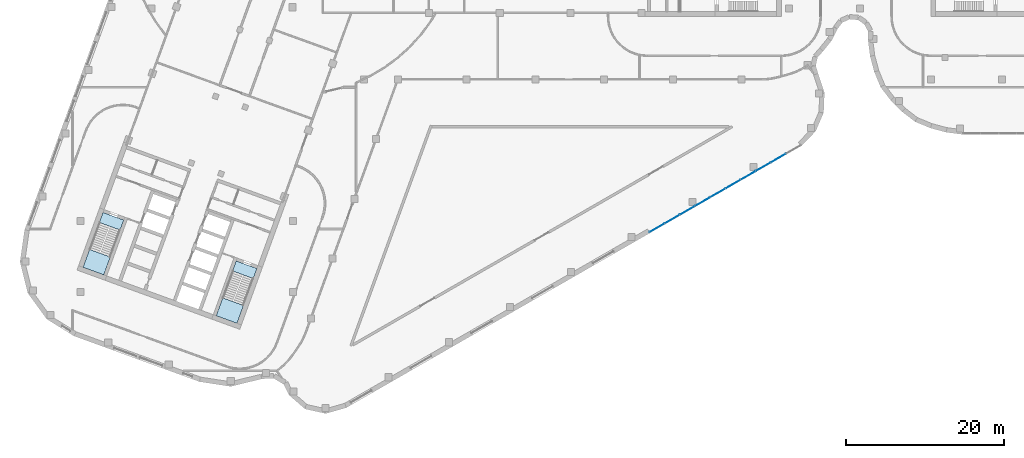
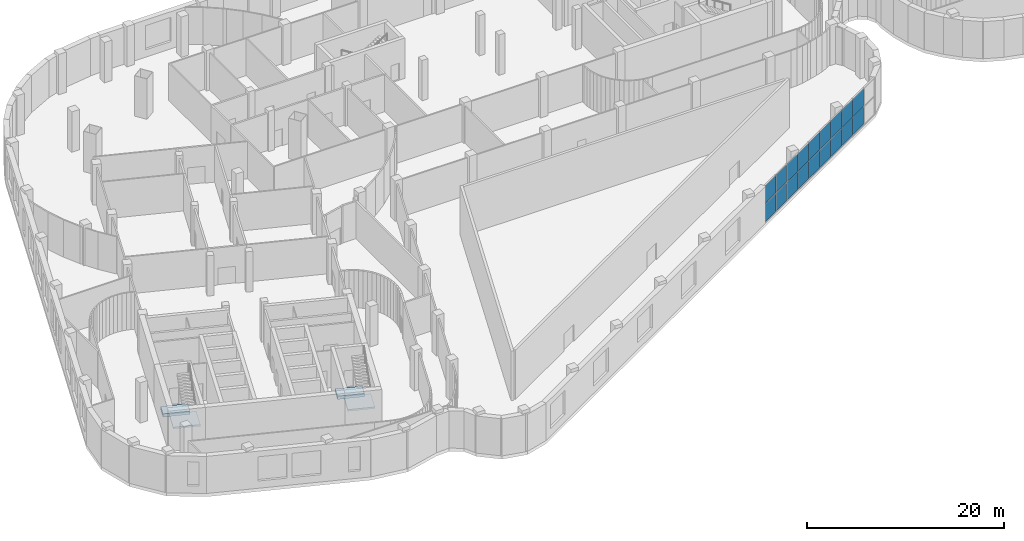
# One storey, part 5 of 24: 18 plates, 4 slabs, 4 elements without a shape of their own.
"""IFC4 building model written with IfcOpenShell, lengths in metres."""

from ifc_helpers import new_model, si_unit, direction, frame, origin, origin_2d, place, context, subcontext, project, spatial, polyline, rectangle, outline, extrude, material, layer, layer_set, type_object, element, aggregate, save


model = new_model("IFC4")

# Units and contexts
model_context = context("Model", 3, precision=1e-05, world=origin(), true_north=direction((0.0, 1.0)))
body_context = subcontext(model_context, "Body", "Model", "MODEL_VIEW")
ifc_project = project(units=[si_unit("LENGTHUNIT", "METRE"), si_unit("AREAUNIT", "SQUARE_METRE"), si_unit("VOLUMEUNIT", "CUBIC_METRE"), si_unit("PLANEANGLEUNIT", "RADIAN"), si_unit("MASSUNIT", "GRAM", prefix="KILO")], contexts=[model_context])

# Site, building, storey
site_placement = place(None, origin())
site = spatial("IfcSite", under=ifc_project, at=site_placement, CompositionType="ELEMENT")
building_placement = place(site_placement, origin())
building = spatial("IfcBuilding", under=site, at=building_placement, Name="Skarvind Civic Tower", CompositionType="ELEMENT")
storey_placement = place(building_placement, frame((0.0, 0.0, 12.5)))
storey = spatial("IfcBuildingStorey", under=building, at=storey_placement, Name="L02", CompositionType="ELEMENT", Elevation=12.5)

# Curtain wall, plates
ifc_material_1 = material(Name="Aluminium alloy 6063 and laminated glass", Category="aluminium")
curtain_wall_type = type_object("IfcCurtainWallType", Name="CW2 TOWER ENTRANCE LOBBY GLAZING", PredefinedType="NOTDEFINED", material=ifc_material_1)
curtain_wall_1_placement = place(storey_placement, origin())
curtain_wall_1 = element("IfcCurtainWall", 1, at=curtain_wall_1_placement, inside=storey, type_object=curtain_wall_type, Name="TOWER ENTRANCE LOBBY GLAZING", PredefinedType="NOTDEFINED")
ifc_material_2 = material(Name="Laminated low-iron glass", Category="glass")
ifc_layer_1 = layer(ifc_material_2, 0.031982421875)
ifc_layer_set_1 = layer_set([ifc_layer_1], Name="CW2 GLASS PANEL 32")
plate_type = type_object("IfcPlateType", Name="CW2 GLASS PANEL 32", PredefinedType="CURTAIN_PANEL", material=ifc_layer_set_1)
plate_1_placement = place(storey_placement, frame((107.64013671875, 99.009033203125, 0.06982421875), z_axis=(0.0, 0.0, 1.0), x_axis=(-0.866702488463, -0.498825416846, 0.0)))
plate_1 = element("IfcPlate", 2, at=plate_1_placement, type_object=plate_type, Name="CW2 panel 2.1", PredefinedType="CURTAIN_PANEL", context=body_context, shape_type="SweptSolid", body=[
    extrude(rectangle(XDim=2.154296875, YDim=0.031982421875, at=origin_2d()), origin(), (0.0, 0.0, 1.0), 2.195068359375),
])
plate_2_placement = place(storey_placement, frame((107.64013671875, 99.009033203125, 2.3349609375), z_axis=(0.0, 0.0, 1.0), x_axis=(-0.866702488463, -0.498825416846, 0.0)))
plate_2 = element("IfcPlate", 3, at=plate_2_placement, type_object=plate_type, Name="CW2 panel 2.2", PredefinedType="CURTAIN_PANEL", context=body_context, shape_type="SweptSolid", body=[
    extrude(rectangle(XDim=2.154296875, YDim=0.031982421875, at=origin_2d()), origin(), (0.0, 0.0, 1.0), 2.195068359375),
])
plate_3_placement = place(storey_placement, frame((105.712158203125, 97.8994140625, 0.06982421875), z_axis=(0.0, 0.0, 1.0), x_axis=(-0.866702488463, -0.498825416846, 0.0)))
plate_3 = element("IfcPlate", 4, at=plate_3_placement, type_object=plate_type, Name="CW2 panel 3.1", PredefinedType="CURTAIN_PANEL", context=body_context, shape_type="SweptSolid", body=[
    extrude(rectangle(XDim=2.154296875, YDim=0.031982421875, at=origin_2d()), origin(), (0.0, 0.0, 1.0), 2.195068359375),
])
plate_4_placement = place(storey_placement, frame((105.712158203125, 97.8994140625, 2.3349609375), z_axis=(0.0, 0.0, 1.0), x_axis=(-0.866702488463, -0.498825416846, 0.0)))
plate_4 = element("IfcPlate", 5, at=plate_4_placement, type_object=plate_type, Name="CW2 panel 3.2", PredefinedType="CURTAIN_PANEL", context=body_context, shape_type="SweptSolid", body=[
    extrude(rectangle(XDim=2.154296875, YDim=0.031982421875, at=origin_2d()), origin(), (0.0, 0.0, 1.0), 2.195068359375),
])
plate_5_placement = place(storey_placement, frame((103.784423828125, 96.789794921875, 0.06982421875), z_axis=(0.0, 0.0, 1.0), x_axis=(-0.866702488463, -0.498825416846, 0.0)))
plate_5 = element("IfcPlate", 6, at=plate_5_placement, type_object=plate_type, Name="CW2 panel 4.1", PredefinedType="CURTAIN_PANEL", context=body_context, shape_type="SweptSolid", body=[
    extrude(rectangle(XDim=2.154296875, YDim=0.031982421875, at=origin_2d()), origin(), (0.0, 0.0, 1.0), 2.195068359375),
])
plate_6_placement = place(storey_placement, frame((103.784423828125, 96.789794921875, 2.3349609375), z_axis=(0.0, 0.0, 1.0), x_axis=(-0.866702488463, -0.498825416846, 0.0)))
plate_6 = element("IfcPlate", 7, at=plate_6_placement, type_object=plate_type, Name="CW2 panel 4.2", PredefinedType="CURTAIN_PANEL", context=body_context, shape_type="SweptSolid", body=[
    extrude(rectangle(XDim=2.154296875, YDim=0.031982421875, at=origin_2d()), origin(), (0.0, 0.0, 1.0), 2.195068359375),
])
plate_7_placement = place(storey_placement, frame((101.856689453125, 95.68017578125, 0.06982421875), z_axis=(0.0, 0.0, 1.0), x_axis=(-0.866702488463, -0.498825416846, 0.0)))
plate_7 = element("IfcPlate", 8, at=plate_7_placement, type_object=plate_type, Name="CW2 panel 5.1", PredefinedType="CURTAIN_PANEL", context=body_context, shape_type="SweptSolid", body=[
    extrude(rectangle(XDim=2.154296875, YDim=0.031982421875, at=origin_2d()), origin(), (0.0, 0.0, 1.0), 2.195068359375),
])
plate_8_placement = place(storey_placement, frame((101.856689453125, 95.68017578125, 2.3349609375), z_axis=(0.0, 0.0, 1.0), x_axis=(-0.866702488463, -0.498825416846, 0.0)))
plate_8 = element("IfcPlate", 9, at=plate_8_placement, type_object=plate_type, Name="CW2 panel 5.2", PredefinedType="CURTAIN_PANEL", context=body_context, shape_type="SweptSolid", body=[
    extrude(rectangle(XDim=2.154296875, YDim=0.031982421875, at=origin_2d()), origin(), (0.0, 0.0, 1.0), 2.195068359375),
])
plate_9_placement = place(storey_placement, frame((99.9287109375, 94.57080078125, 0.06982421875), z_axis=(0.0, 0.0, 1.0), x_axis=(-0.866702488463, -0.498825416846, 0.0)))
plate_9 = element("IfcPlate", 10, at=plate_9_placement, type_object=plate_type, Name="CW2 panel 6.1", PredefinedType="CURTAIN_PANEL", context=body_context, shape_type="SweptSolid", body=[
    extrude(rectangle(XDim=2.154296875, YDim=0.031982421875, at=origin_2d()), origin(), (0.0, 0.0, 1.0), 2.195068359375),
])
plate_10_placement = place(storey_placement, frame((99.9287109375, 94.57080078125, 2.3349609375), z_axis=(0.0, 0.0, 1.0), x_axis=(-0.866702488463, -0.498825416846, 0.0)))
plate_10 = element("IfcPlate", 11, at=plate_10_placement, type_object=plate_type, Name="CW2 panel 6.2", PredefinedType="CURTAIN_PANEL", context=body_context, shape_type="SweptSolid", body=[
    extrude(rectangle(XDim=2.154296875, YDim=0.031982421875, at=origin_2d()), origin(), (0.0, 0.0, 1.0), 2.195068359375),
])
plate_11_placement = place(storey_placement, frame((98.0009765625, 93.461181640625, 0.06982421875), z_axis=(0.0, 0.0, 1.0), x_axis=(-0.866702488463, -0.498825416846, 0.0)))
plate_11 = element("IfcPlate", 12, at=plate_11_placement, type_object=plate_type, Name="CW2 panel 7.1", PredefinedType="CURTAIN_PANEL", context=body_context, shape_type="SweptSolid", body=[
    extrude(rectangle(XDim=2.154296875, YDim=0.031982421875, at=origin_2d()), origin(), (0.0, 0.0, 1.0), 2.195068359375),
])
plate_12_placement = place(storey_placement, frame((98.0009765625, 93.461181640625, 2.3349609375), z_axis=(0.0, 0.0, 1.0), x_axis=(-0.866702488463, -0.498825416846, 0.0)))
plate_12 = element("IfcPlate", 13, at=plate_12_placement, type_object=plate_type, Name="CW2 panel 7.2", PredefinedType="CURTAIN_PANEL", context=body_context, shape_type="SweptSolid", body=[
    extrude(rectangle(XDim=2.154296875, YDim=0.031982421875, at=origin_2d()), origin(), (0.0, 0.0, 1.0), 2.195068359375),
])
plate_13_placement = place(storey_placement, frame((96.088134765625, 92.3603515625, 0.06982421875), z_axis=(0.0, 0.0, 1.0), x_axis=(-0.866702488463, -0.498825416846, 0.0)))
plate_13 = element("IfcPlate", 14, at=plate_13_placement, type_object=plate_type, Name="CW2 panel 8.1", PredefinedType="CURTAIN_PANEL", context=body_context, shape_type="SweptSolid", body=[
    extrude(rectangle(XDim=2.119384765625, YDim=0.031982421875, at=origin_2d()), origin(), (0.0, 0.0, 1.0), 2.195068359375),
])
plate_14_placement = place(storey_placement, frame((96.088134765625, 92.3603515625, 2.3349609375), z_axis=(0.0, 0.0, 1.0), x_axis=(-0.866702488463, -0.498825416846, 0.0)))
plate_14 = element("IfcPlate", 15, at=plate_14_placement, type_object=plate_type, Name="CW2 panel 8.2", PredefinedType="CURTAIN_PANEL", context=body_context, shape_type="SweptSolid", body=[
    extrude(rectangle(XDim=2.119384765625, YDim=0.031982421875, at=origin_2d()), origin(), (0.0, 0.0, 1.0), 2.195068359375),
])
aggregate(curtain_wall_1, [plate_1, plate_2, plate_3, plate_4, plate_5, plate_6, plate_7, plate_8, plate_9, plate_10, plate_11, plate_12, plate_13, plate_14])

curtain_wall_2_placement = place(storey_placement, origin())
curtain_wall_2 = element("IfcCurtainWall", 16, at=curtain_wall_2_placement, inside=storey, type_object=curtain_wall_type, Name="TOWER ENTRANCE LOBBY GLAZING", PredefinedType="NOTDEFINED")
plate_15_placement = place(storey_placement, frame((94.130126953125, 91.233154296875, 0.06982421875), z_axis=(0.0, 0.0, 1.0), x_axis=(-0.866695199794, -0.498838080597, 0.0)))
plate_15 = element("IfcPlate", 17, at=plate_15_placement, type_object=plate_type, Name="CW2 panel 1.1", PredefinedType="CURTAIN_PANEL", context=body_context, shape_type="SweptSolid", body=[
    extrude(rectangle(XDim=2.119384765625, YDim=0.031982421875, at=origin_2d()), origin(), (0.0, 0.0, 1.0), 2.195068359375),
])
plate_16_placement = place(storey_placement, frame((94.130126953125, 91.233154296875, 2.3349609375), z_axis=(0.0, 0.0, 1.0), x_axis=(-0.866695199794, -0.498838080597, 0.0)))
plate_16 = element("IfcPlate", 18, at=plate_16_placement, type_object=plate_type, Name="CW2 panel 1.2", PredefinedType="CURTAIN_PANEL", context=body_context, shape_type="SweptSolid", body=[
    extrude(rectangle(XDim=2.119384765625, YDim=0.031982421875, at=origin_2d()), origin(), (0.0, 0.0, 1.0), 2.195068359375),
])
plate_17_placement = place(storey_placement, frame((92.232421875, 90.14111328125, 0.06982421875), z_axis=(0.0, 0.0, 1.0), x_axis=(-0.866695199794, -0.498838080597, 0.0)))
plate_17 = element("IfcPlate", 19, at=plate_17_placement, type_object=plate_type, Name="CW2 panel 2.1", PredefinedType="CURTAIN_PANEL", context=body_context, shape_type="SweptSolid", body=[
    extrude(rectangle(XDim=2.119384765625, YDim=0.031982421875, at=origin_2d()), origin(), (0.0, 0.0, 1.0), 2.195068359375),
])
plate_18_placement = place(storey_placement, frame((92.232421875, 90.14111328125, 2.3349609375), z_axis=(0.0, 0.0, 1.0), x_axis=(-0.866695199794, -0.498838080597, 0.0)))
plate_18 = element("IfcPlate", 20, at=plate_18_placement, type_object=plate_type, Name="CW2 panel 2.2", PredefinedType="CURTAIN_PANEL", context=body_context, shape_type="SweptSolid", body=[
    extrude(rectangle(XDim=2.119384765625, YDim=0.031982421875, at=origin_2d()), origin(), (0.0, 0.0, 1.0), 2.195068359375),
])
aggregate(curtain_wall_2, [plate_15, plate_16, plate_17, plate_18])

# Slabs
ifc_material_3 = material(Name="Concrete C40/50", Category="concrete")
ifc_layer_2 = layer(ifc_material_3, 0.39990234375)
ifc_layer_set_2 = layer_set([ifc_layer_2], Name="Stair floor landing slab 400")
slab_type_1 = type_object("IfcSlabType", Name="Stair floor landing slab 400", PredefinedType="LANDING", material=ifc_layer_set_2)
slab_1_placement = place(storey_placement, frame((0.0, 0.0, -0.39990234375)))
element("IfcSlab", 21, at=slab_1_placement, inside=storey, type_object=slab_type_1, Name="Stair floor landing", PredefinedType="LANDING", context=body_context, shape_type="SweptSolid", body=[
    extrude(outline(polyline([(40.946533203125, 83.70654296875), (38.314208984375, 84.66455078125), (38.7763671875, 85.934326171875), (41.40869140625, 84.976318359375), (40.946533203125, 83.70654296875)])), origin(), (0.0, 0.0, 1.0), 0.39990234375),
])
slab_2_placement = place(storey_placement, frame((0.0, 0.0, -0.39990234375)))
element("IfcSlab", 22, at=slab_2_placement, inside=storey, type_object=slab_type_1, Name="Stair floor landing", PredefinedType="LANDING", context=body_context, shape_type="SweptSolid", body=[
    extrude(outline(polyline([(24.0322265625, 89.863037109375), (21.39990234375, 90.821044921875), (21.862060546875, 92.090576171875), (24.494384765625, 91.132568359375), (24.0322265625, 89.863037109375)])), origin(), (0.0, 0.0, 1.0), 0.39990234375),
])

# Stair, slab
stair_type = type_object("IfcStairType", Name="Exit stair, half-turn, concrete", PredefinedType="HALF_TURN_STAIR", material=ifc_material_3)
stair_1_placement = place(storey_placement, origin())
stair_1 = element("IfcStair", 23, at=stair_1_placement, inside=storey, type_object=stair_type, Name="Exit stair C2S", PredefinedType="HALF_TURN_STAIR")
ifc_layer_3 = layer(ifc_material_3, 0.199951171875)
ifc_layer_set_3 = layer_set([ifc_layer_3], Name="Stair half landing slab")
slab_type_2 = type_object("IfcSlabType", Name="Stair half landing slab", PredefinedType="LANDING", material=ifc_layer_set_3)
slab_3_placement = place(storey_placement, frame((0.0, 0.0, 2.300048828125)))
slab_3 = element("IfcSlab", 24, at=slab_3_placement, type_object=slab_type_2, Name="ST-C2S landing 1", PredefinedType="LANDING", context=body_context, shape_type="SweptSolid", body=[
    extrude(outline(polyline([(37.06982421875, 81.245361328125), (39.7021484375, 80.287109375), (38.87744140625, 78.021484375), (36.2451171875, 78.9794921875), (37.06982421875, 81.245361328125)])), origin(), (0.0, 0.0, 1.0), 0.199951171875),
])
aggregate(stair_1, [slab_3])

stair_2_placement = place(storey_placement, origin())
stair_2 = element("IfcStair", 25, at=stair_2_placement, inside=storey, type_object=stair_type, Name="Exit stair C2N", PredefinedType="HALF_TURN_STAIR")
slab_4_placement = place(storey_placement, frame((0.0, 0.0, 2.300048828125)))
slab_4 = element("IfcSlab", 26, at=slab_4_placement, type_object=slab_type_2, Name="ST-C2N landing 1", PredefinedType="LANDING", context=body_context, shape_type="SweptSolid", body=[
    extrude(outline(polyline([(20.1552734375, 87.401611328125), (22.78759765625, 86.443603515625), (21.962890625, 84.177734375), (19.33056640625, 85.1357421875), (20.1552734375, 87.401611328125)])), origin(), (0.0, 0.0, 1.0), 0.199951171875),
])
aggregate(stair_2, [slab_4])

save(model, "model.ifc")
